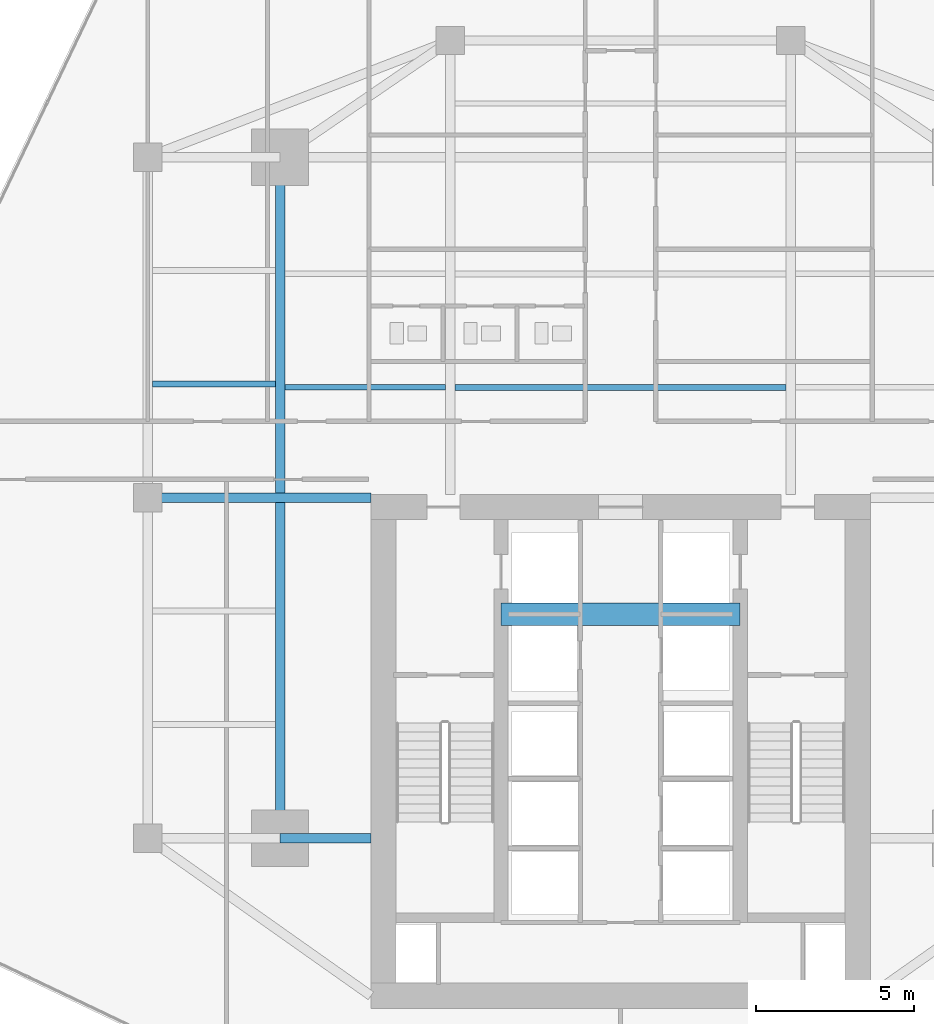
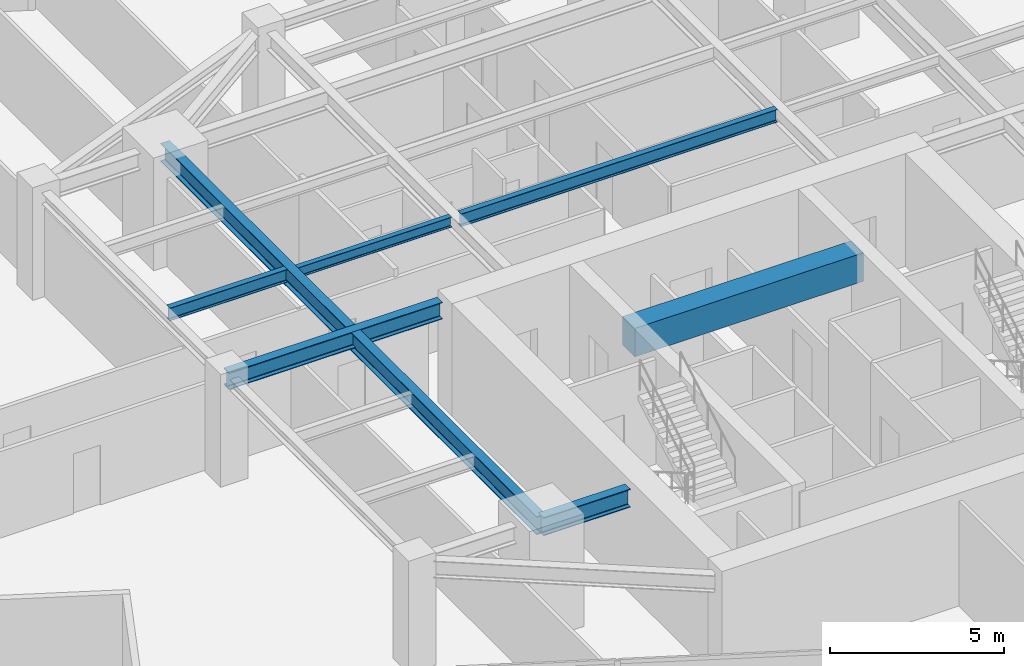
# One storey, part 8 of 25: 7 beams.
"""IFC4 building model written with IfcOpenShell, lengths in metres."""

from ifc_helpers import new_model, si_unit, direction, frame, origin, origin_2d, place, context, subcontext, project, spatial, rectangle, i_section, extrude, source, transform, mapped, material, material_profile, profile_set, type_object, type_shapes, element, save


model = new_model("IFC4")

# Units and contexts
model_context = context("Model", 3, precision=1e-05, world=origin(), true_north=direction((0.0, 1.0)))
body_context = subcontext(model_context, "Body", "Model", "MODEL_VIEW")
ifc_project = project(units=[si_unit("LENGTHUNIT", "METRE"), si_unit("AREAUNIT", "SQUARE_METRE"), si_unit("VOLUMEUNIT", "CUBIC_METRE"), si_unit("PLANEANGLEUNIT", "RADIAN"), si_unit("MASSUNIT", "GRAM", prefix="KILO")], contexts=[model_context])

# Site, building, storey
site_placement = place(None, origin())
site = spatial("IfcSite", under=ifc_project, at=site_placement, CompositionType="ELEMENT")
building_placement = place(site_placement, origin())
building = spatial("IfcBuilding", under=site, at=building_placement, Name="Krantzveldt Concourse Tower", CompositionType="ELEMENT")
storey_placement = place(building_placement, frame((0.0, 0.0, 146.199951171875)))
storey = spatial("IfcBuildingStorey", under=building, at=storey_placement, Name="L35", CompositionType="ELEMENT", Elevation=146.199951171875)

# Beams
ifc_material_1 = material(Name="Steel S355JR", Category="steel")
ifc_material_profile_1 = material_profile(ifc_material_1, i_section(OverallWidth=0.300048828125, OverallDepth=0.639892578125, WebThickness=0.013427734375, FlangeThickness=0.02587890625, FilletRadius=0.027099609375, at=origin_2d()), Name="Steel S355JR", Category="steel")
ifc_profile_set_1 = profile_set([ifc_material_profile_1], Name="Steel S355JR - HEA 650")
beam_type_1 = type_object("IfcBeamType", Name="BM-B-HEA650", PredefinedType="BEAM", material=ifc_profile_set_1)
shared_shape_1 = source(origin(), body_context, "Body", "SweptSolid", [
    extrude(i_section(OverallWidth=0.300048828125, OverallDepth=0.639892578125, WebThickness=0.013427734375, FlangeThickness=0.02587890625, FilletRadius=0.027099609375, at=origin_2d()), origin(), (0.0, 0.0, 1.0), 21.60009765625),
])
beam_1_placement = place(storey_placement, frame((25.199951171875, 15.89990234375, 3.35009765625), z_axis=(0.0, 1.0, 0.0), x_axis=(-1.0, 0.0, 0.0)))
element("IfcBeam", 1, at=beam_1_placement, inside=storey, type_object=beam_type_1, Name="L35 Tower Girder BG-MW", PredefinedType="BEAM", context=body_context, shape_type="MappedRepresentation", body=[
    mapped(shared_shape_1, transform((0.0, 0.0, 0.0), x_axis=(1.0, 0.0, 0.0), y_axis=(0.0, 1.0, 0.0), z_axis=(0.0, 0.0, 1.0), scale=1.0)),
])
ifc_material_profile_2 = material_profile(ifc_material_1, i_section(OverallWidth=0.300048828125, OverallDepth=0.590087890625, WebThickness=0.012939453125, FlangeThickness=0.02490234375, FilletRadius=0.027099609375, at=origin_2d()), Name="Steel S355JR", Category="steel")
ifc_profile_set_2 = profile_set([ifc_material_profile_2], Name="Steel S355JR - HEA 600")
beam_type_2 = type_object("IfcBeamType", Name="BM-B-HEA600", PredefinedType="BEAM", material=ifc_profile_set_2)
shared_shape_2 = source(origin(), body_context, "Body", "SweptSolid", [
    extrude(i_section(OverallWidth=0.300048828125, OverallDepth=0.590087890625, WebThickness=0.012939453125, FlangeThickness=0.02490234375, FilletRadius=0.027099609375, at=origin_2d()), origin(), (0.0, 0.0, 1.0), 7.080078125),
])
type_shapes(beam_type_2, [shared_shape_2])
beam_2_placement = place(storey_placement, frame((21.0, 26.699951171875, 3.375), z_axis=(1.0, 0.0, 0.0), x_axis=(0.0, 1.0, 0.0)))
element("IfcBeam", 2, at=beam_2_placement, inside=storey, type_object=beam_type_2, Name="L35 Tower Girder BG-CW2", PredefinedType="BEAM", context=body_context, shape_type="MappedRepresentation", body=[
    mapped(shared_shape_2, transform((0.0, 0.0, 0.0), x_axis=(1.0, 0.0, 0.0), y_axis=(0.0, 1.0, 0.0), z_axis=(0.0, 0.0, 1.0), scale=1.0)),
])
ifc_material_profile_3 = material_profile(ifc_material_1, i_section(OverallWidth=0.18994140625, OverallDepth=0.449951171875, WebThickness=0.009521484375, FlangeThickness=0.0146484375, FilletRadius=0.02099609375, at=origin_2d()), Name="Steel S355JR", Category="steel")
ifc_profile_set_3 = profile_set([ifc_material_profile_3], Name="Steel S355JR - IPE 450")
beam_type_3 = type_object("IfcBeamType", Name="BM-J-IPE450", PredefinedType="JOIST", material=ifc_profile_set_3)
shared_shape_3 = source(origin(), body_context, "Body", "SweptSolid", [
    extrude(i_section(OverallWidth=0.18994140625, OverallDepth=0.449951171875, WebThickness=0.009521484375, FlangeThickness=0.0146484375, FilletRadius=0.02099609375, at=origin_2d()), origin(), (0.0, 0.0, 1.0), 10.5),
])
beam_3_placement = place(storey_placement, frame((30.75, 30.199951171875, 3.445068359375), z_axis=(1.0, 0.0, 0.0), x_axis=(0.0, 1.0, 0.0)))
element("IfcBeam", 3, at=beam_3_placement, inside=storey, type_object=beam_type_3, Name="L35 Secondary Floor Joist JN-C1", PredefinedType="JOIST", context=body_context, shape_type="MappedRepresentation", body=[
    mapped(shared_shape_3, transform((0.0, 0.0, 0.0), x_axis=(1.0, 0.0, 0.0), y_axis=(0.0, 1.0, 0.0), z_axis=(0.0, 0.0, 1.0), scale=1.0)),
])
ifc_material_2 = material(Name="Concrete C50/60", Category="concrete")
ifc_material_profile_4 = material_profile(ifc_material_2, rectangle(XDim=0.699951171875, YDim=1.0, at=origin_2d()), Name="Concrete C50/60", Category="concrete")
ifc_profile_set_4 = profile_set([ifc_material_profile_4], Name="Concrete C50/60 - RC-CB 700x1000")
beam_type_4 = type_object("IfcBeamType", Name="BM-CB-1000", PredefinedType="LINTEL", material=ifc_profile_set_4)
shared_shape_4 = source(origin(), body_context, "Body", "SweptSolid", [
    extrude(rectangle(XDim=0.699951171875, YDim=1.0, at=origin_2d()), origin(), (0.0, 0.0, 1.0), 7.580078125),
])
type_shapes(beam_type_4, [shared_shape_4])
beam_4_placement = place(storey_placement, frame((32.2099609375, 23.0, 3.170166015625), z_axis=(1.0, 0.0, 0.0), x_axis=(0.0, 1.0, 0.0)))
element("IfcBeam", 4, at=beam_4_placement, inside=storey, type_object=beam_type_4, Name="CB-L35-01", PredefinedType="LINTEL", context=body_context, shape_type="MappedRepresentation", body=[
    mapped(shared_shape_4, transform((0.0, 0.0, 0.0), x_axis=(1.0, 0.0, 0.0), y_axis=(0.0, 1.0, 0.0), z_axis=(0.0, 0.0, 1.0), scale=1.0)),
])
shared_shape_5 = source(origin(), body_context, "Body", "SweptSolid", [
    extrude(i_section(OverallWidth=0.300048828125, OverallDepth=0.639892578125, WebThickness=0.013427734375, FlangeThickness=0.02587890625, FilletRadius=0.027099609375, at=origin_2d()), origin(), (0.0, 0.0, 1.0), 2.880126953125),
])
type_shapes(beam_type_1, [shared_shape_1, shared_shape_5])
beam_5_placement = place(storey_placement, frame((25.199951171875, 15.89990234375, 3.35009765625), z_axis=(1.0, 0.0, 0.0), x_axis=(0.0, 1.0, 0.0)))
element("IfcBeam", 5, at=beam_5_placement, inside=storey, type_object=beam_type_1, Name="L35 Tower Girder BG-CW1", PredefinedType="BEAM", context=body_context, shape_type="MappedRepresentation", body=[
    mapped(shared_shape_5, transform((0.0, 0.0, 0.0), x_axis=(1.0, 0.0, 0.0), y_axis=(0.0, 1.0, 0.0), z_axis=(0.0, 0.0, 1.0), scale=1.0)),
])
ifc_material_profile_5 = material_profile(ifc_material_1, i_section(OverallWidth=0.169921875, OverallDepth=0.360107421875, WebThickness=0.008056640625, FlangeThickness=0.0126953125, FilletRadius=0.01806640625, at=origin_2d()), Name="Steel S355JR", Category="steel")
ifc_profile_set_5 = profile_set([ifc_material_profile_5], Name="Steel S355JR - IPE 360")
beam_type_5 = type_object("IfcBeamType", Name="BM-J-IPE360", PredefinedType="JOIST", material=ifc_profile_set_5)
shared_shape_6 = source(origin(), body_context, "Body", "SweptSolid", [
    extrude(i_section(OverallWidth=0.169921875, OverallDepth=0.360107421875, WebThickness=0.008056640625, FlangeThickness=0.0126953125, FilletRadius=0.01806640625, at=origin_2d()), origin(), (0.0, 0.0, 1.0), 5.099853515625),
])
type_shapes(beam_type_5, [shared_shape_6])
beam_6_placement = place(storey_placement, frame((25.35009765625, 30.199951171875, 3.489990234375), z_axis=(1.0, 0.0, 0.0), x_axis=(0.0, 1.0, 0.0)))
element("IfcBeam", 6, at=beam_6_placement, inside=storey, type_object=beam_type_5, Name="L35 Secondary Floor Joist JN-W1", PredefinedType="JOIST", context=body_context, shape_type="MappedRepresentation", body=[
    mapped(shared_shape_6, transform((0.0, 0.0, 0.0), x_axis=(1.0, 0.0, 0.0), y_axis=(0.0, 1.0, 0.0), z_axis=(0.0, 0.0, 1.0), scale=1.0)),
])
shared_shape_7 = source(origin(), body_context, "Body", "SweptSolid", [
    extrude(i_section(OverallWidth=0.18994140625, OverallDepth=0.449951171875, WebThickness=0.009521484375, FlangeThickness=0.0146484375, FilletRadius=0.02099609375, at=origin_2d()), origin(), (0.0, 0.0, 1.0), 3.900146484375),
])
type_shapes(beam_type_3, [shared_shape_3, shared_shape_7])
beam_7_placement = place(storey_placement, frame((21.14990234375, 30.300048828125, 3.445068359375), z_axis=(1.0, 0.0, 0.0), x_axis=(0.0, 1.0, 0.0)))
element("IfcBeam", 7, at=beam_7_placement, inside=storey, type_object=beam_type_3, Name="L35 Secondary Floor Joist JW-3", PredefinedType="JOIST", context=body_context, shape_type="MappedRepresentation", body=[
    mapped(shared_shape_7, transform((0.0, 0.0, 0.0), x_axis=(1.0, 0.0, 0.0), y_axis=(0.0, 1.0, 0.0), z_axis=(0.0, 0.0, 1.0), scale=1.0)),
])

save(model, "model.ifc")
